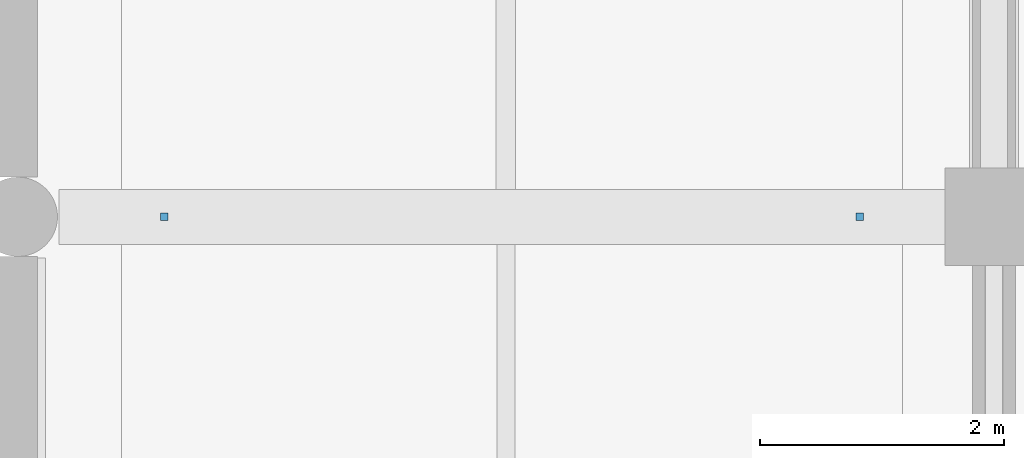
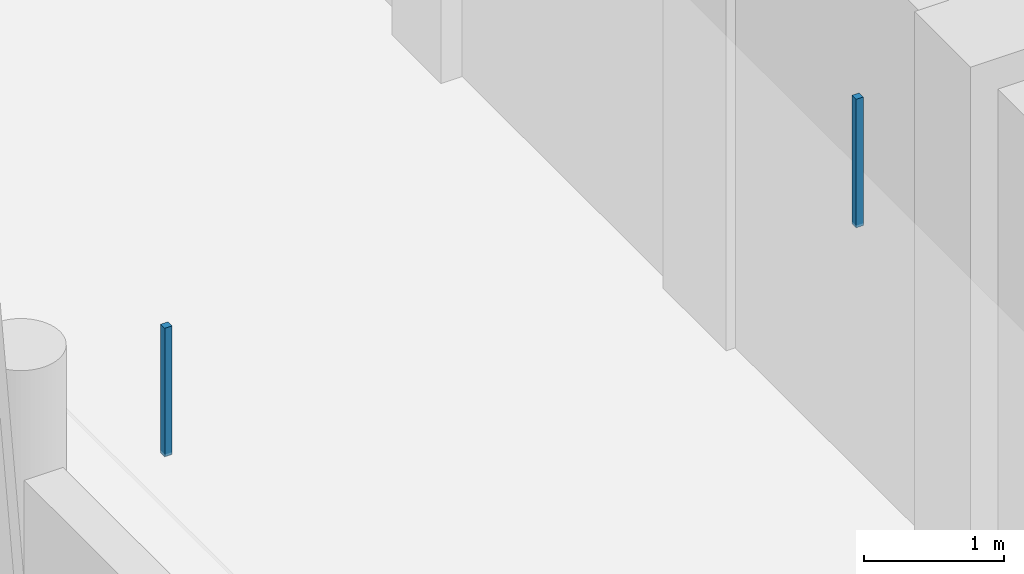
# One storey, part 79 of 107: 2 discrete accessories.
"""IFC4 building model written with IfcOpenShell, lengths in metres."""

from ifc_helpers import new_model, si_unit, direction, frame, origin, origin_2d, place, context, subcontext, project, spatial, rectangle, extrude, material, type_object, element, save


model = new_model("IFC4")

# Units and contexts
model_context = context("Model", 3, precision=1e-05, world=origin(), true_north=direction((0.0, 1.0)))
body_context = subcontext(model_context, "Body", "Model", "MODEL_VIEW")
ifc_project = project(units=[si_unit("LENGTHUNIT", "METRE"), si_unit("AREAUNIT", "SQUARE_METRE"), si_unit("VOLUMEUNIT", "CUBIC_METRE"), si_unit("PLANEANGLEUNIT", "RADIAN"), si_unit("MASSUNIT", "GRAM", prefix="KILO")], contexts=[model_context])

# Site, building, storey
site_placement = place(None, origin())
site = spatial("IfcSite", under=ifc_project, at=site_placement, CompositionType="ELEMENT")
building_placement = place(site_placement, origin())
building = spatial("IfcBuilding", under=site, at=building_placement, Name="Khelvaren Railside Concert Hall", CompositionType="ELEMENT")
storey_placement = place(building_placement, frame((0.0, 0.0, 15.0)))
storey = spatial("IfcBuildingStorey", under=building, at=storey_placement, Name="L03", CompositionType="ELEMENT", Elevation=15.0)

# Discrete accessories
ifc_material = material(Name="Galvanised steel acoustic ceiling hanger rod", Category="steel")
discrete_accessory_type = type_object("IfcDiscreteAccessoryType", Name="BRK62", PredefinedType="BRACKET", material=ifc_material)
for number, where, z_axis, x_axis, name in (
    (1, (1.199951171875, 22.800048828125, 3.429931640625), (0.0, 0.0, 1.0), (1.0, 0.0, 0.0), "Acoustic Ceiling Suspension Bracket 28-1"),
    (2, (6.89990234375, 22.800048828125, 3.429931640625), (0.0, 0.0, 1.0), (1.0, 0.0, 0.0), "Acoustic Ceiling Suspension Bracket 28-2"),
):
    element("IfcDiscreteAccessory", number, at=place(storey_placement, frame(where, z_axis=z_axis, x_axis=x_axis)), inside=storey, type_object=discrete_accessory_type, Name=name, PredefinedType="BRACKET", context=body_context, shape_type="SweptSolid", body=[
        extrude(rectangle(XDim=0.06005859375, YDim=0.06005859375, at=origin_2d()), origin(), (0.0, 0.0, 1.0), 1.1201171875),
    ])

save(model, "model.ifc")
